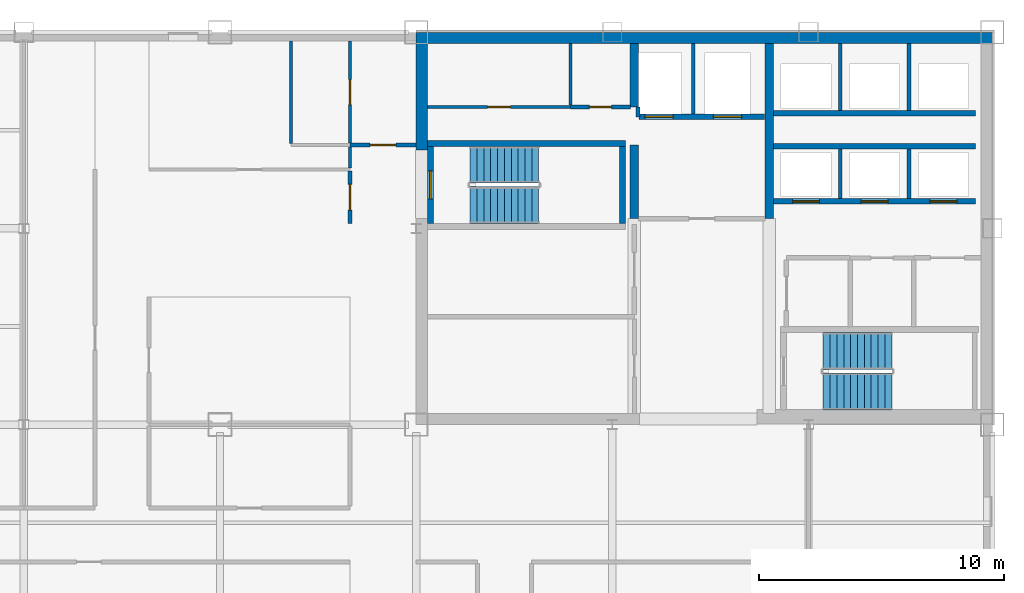
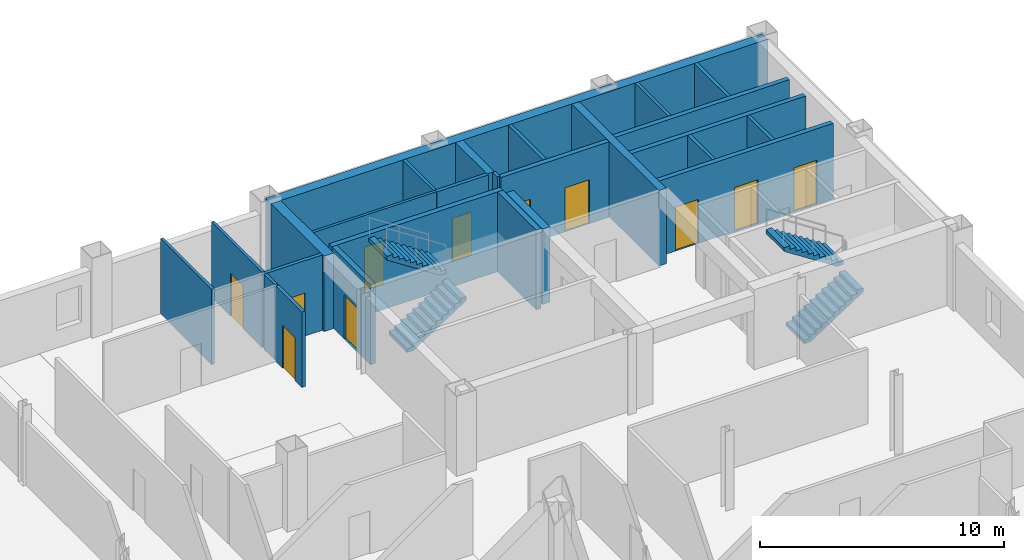
# One storey, part 6 of 10: 26 walls, 11 doors, 4 stair flights, 11 openings, 2 elements without a shape of their own.
"""IFC4 building model written with IfcOpenShell, lengths in metres."""

from ifc_helpers import new_model, si_unit, direction, frame, frame_2d, origin, place, context, subcontext, project, spatial, polyline, rectangle, outline, extrude, material, layer, layer_set, type_object, element, fill, aggregate, save


model = new_model("IFC4")

# Units and contexts
model_context = context("Model", 3, precision=1e-05, world=origin(), true_north=direction((0.0, 1.0)))
body_context = subcontext(model_context, "Body", "Model", "MODEL_VIEW")
ifc_project = project(units=[si_unit("LENGTHUNIT", "METRE"), si_unit("AREAUNIT", "SQUARE_METRE"), si_unit("VOLUMEUNIT", "CUBIC_METRE"), si_unit("PLANEANGLEUNIT", "RADIAN"), si_unit("MASSUNIT", "GRAM", prefix="KILO")], contexts=[model_context])

# Site, building, storey
site_placement = place(None, origin())
site = spatial("IfcSite", under=ifc_project, at=site_placement, CompositionType="ELEMENT")
building_placement = place(site_placement, origin())
building = spatial("IfcBuilding", under=site, at=building_placement, Name="Qianrong Seaharbour Tower", CompositionType="ELEMENT")
storey_placement = place(building_placement, frame((0.0, 0.0, 225.800048828125)))
storey = spatial("IfcBuildingStorey", under=building, at=storey_placement, Name="L54", CompositionType="ELEMENT", Elevation=225.800048828125)

# Walls
ifc_material_1 = material(Name="Concrete C60/75", Category="concrete")
ifc_layer_1 = layer(ifc_material_1, 0.4599609375)
ifc_layer_set_1 = layer_set([ifc_layer_1], Name="Concrete C60/75")
wall_type_1 = type_object("IfcWallType", Name="WALL-CORE-460", PredefinedType="SHEAR", material=ifc_layer_set_1)
wall_1_placement = place(storey_placement, frame((40.5, 51.77001953125, 0.0), z_axis=(0.0, 0.0, 1.0), x_axis=(1.0, 0.0, 0.0)))
element("IfcWall", 1, at=wall_1_placement, inside=storey, type_object=wall_type_1, Name="L54 North Core Shear Wall", PredefinedType="SHEAR", context=body_context, shape_type="SweptSolid", body=[
    extrude(rectangle(XDim=23.5, YDim=0.4599609375, at=frame_2d((11.75, 0.0))), origin(), (0.0, 0.0, 1.0), 3.77490234375),
])
wall_2_placement = place(storey_placement, frame((40.72998046875, 47.199951171875, 0.0), z_axis=(0.0, 0.0, 1.0), x_axis=(0.0, 1.0, 0.0)))
element("IfcWall", 2, at=wall_2_placement, inside=storey, type_object=wall_type_1, Name="L54 West Core Shear Wall North", PredefinedType="SHEAR", context=body_context, shape_type="SweptSolid", body=[
    extrude(rectangle(XDim=4.340087890625, YDim=0.4599609375, at=frame_2d((2.169921875, 0.0))), origin(), (0.0, 0.0, 1.0), 3.77490234375),
])
ifc_material_2 = material(Name="Concrete C50/60", Category="concrete")
ifc_layer_2 = layer(ifc_material_2, 0.35009765625)
ifc_layer_set_2 = layer_set([ifc_layer_2], Name="Concrete C50/60")
wall_type_2 = type_object("IfcWallType", Name="WALL-CORE-INT-350", PredefinedType="SHEAR", material=ifc_layer_set_2)
wall_3_placement = place(storey_placement, frame((49.39990234375, 44.39990234375, 0.0), z_axis=(0.0, 0.0, 1.0), x_axis=(0.0, 1.0, 0.0)))
element("IfcWall", 3, at=wall_3_placement, inside=storey, type_object=wall_type_2, Name="L54 Internal Core Shear Wall IW1N1", PredefinedType="SHEAR", context=body_context, shape_type="SweptSolid", body=[
    extrude(rectangle(XDim=3.0, YDim=0.35009765625, at=frame_2d((1.5, 0.0))), origin(), (0.0, 0.0, 1.0), 3.77490234375),
])
wall_4_placement = place(storey_placement, frame((49.39990234375, 48.949951171875, 0.0), z_axis=(0.0, 0.0, 1.0), x_axis=(0.0, 1.0, 0.0)))
element("IfcWall", 4, at=wall_4_placement, inside=storey, type_object=wall_type_2, Name="L54 Internal Core Shear Wall IW1N2", PredefinedType="SHEAR", context=body_context, shape_type="SweptSolid", body=[
    extrude(rectangle(XDim=2.590087890625, YDim=0.35009765625, at=frame_2d((1.294921875, 0.0))), origin(), (0.0, 0.0, 1.0), 3.77490234375),
])
wall_5_placement = place(storey_placement, frame((54.89990234375, 44.39990234375, 0.0), z_axis=(0.0, 0.0, 1.0), x_axis=(0.0, 1.0, 0.0)))
element("IfcWall", 5, at=wall_5_placement, inside=storey, type_object=wall_type_2, Name="L54 Internal Core Shear Wall IW2N", PredefinedType="SHEAR", context=body_context, shape_type="SweptSolid", body=[
    extrude(rectangle(XDim=7.14013671875, YDim=0.35009765625, at=frame_2d((3.570068359375, 0.0))), origin(), (0.0, 0.0, 1.0), 3.77490234375),
])

# Wall, opening, door
ifc_material_3 = material(Name="Fire-rated acoustic gypsum board partition")
ifc_layer_3 = layer(ifc_material_3, 0.1650390625)
ifc_layer_set_3 = layer_set([ifc_layer_3], Name="Fire-rated acoustic gypsum board partition")
wall_type_3 = type_object("IfcWallType", Name="WALL-CORR-PART-165", PredefinedType="PARTITIONING", material=ifc_layer_set_3)
wall_6_placement = place(storey_placement, frame((37.800048828125, 47.39990234375, 0.0), z_axis=(0.0, 0.0, 1.0), x_axis=(1.0, 0.0, 0.0)))
wall_6 = element("IfcWall", 6, at=wall_6_placement, inside=storey, type_object=wall_type_3, Name="L54 Interior Partition Wall 001", PredefinedType="PARTITIONING", context=body_context, shape_type="SweptSolid", body=[
    extrude(rectangle(XDim=2.699951171875, YDim=0.1650390625, at=frame_2d((1.35009765625, 0.0))), origin(), (0.0, 0.0, 1.0), 3.77490234375),
])
opening_1_placement = place(wall_6_placement, frame((0.824951171875, 0.0, 0.0)))
opening_1 = element("IfcOpeningElement", 7, at=opening_1_placement, cuts=wall_6, Name="Opening DC-01", PredefinedType="OPENING", context=body_context, shape_type="SweptSolid", body=[
    extrude(rectangle(XDim=1.050048828125, YDim=2.14990234375, at=frame_2d((0.52490234375, 1.074951171875))), frame((0.0, 0.092529296875, 0.0), z_axis=(0.0, -1.0, 0.0), x_axis=(1.0, 0.0, 0.0)), (0.0, 0.0, 1.0), 0.18505859375),
])
ifc_material_4 = material(Name="Acoustic timber and galvanized steel fire door assembly", Category="steel")
door_type_1 = type_object("IfcDoorType", Name="DOOR-CORR-FD60-1050x2150", OperationType="NOTDEFINED", PredefinedType="DOOR", material=ifc_material_4)
door_1_placement = place(opening_1_placement, origin())
door_1 = element("IfcDoor", 8, at=door_1_placement, inside=storey, type_object=door_type_1, Name="L54 Smokeproof Stair Vestibule ST-1 Door", OperationType="SINGLE_SWING_RIGHT", OverallHeight=2.14990234375, OverallWidth=1.050048828125, PredefinedType="DOOR", context=body_context, shape_type="SweptSolid", body=[
    extrude(rectangle(XDim=1.050048828125, YDim=2.14990234375, at=frame_2d((0.52490234375, 1.074951171875))), frame((0.0, 0.02490234375, 0.0), z_axis=(0.0, -1.0, 0.0), x_axis=(1.0, 0.0, 0.0)), (0.0, 0.0, 1.0), 0.050048828125),
])
fill(opening_1, door_1)

wall_7_placement = place(storey_placement, frame((37.800048828125, 44.199951171875, 0.0), z_axis=(0.0, 0.0, 1.0), x_axis=(0.0, 1.0, 0.0)))
wall_7 = element("IfcWall", 9, at=wall_7_placement, inside=storey, type_object=wall_type_3, Name="L54 Interior Partition Wall 002", PredefinedType="PARTITIONING", context=body_context, shape_type="SweptSolid", body=[
    extrude(rectangle(XDim=2.14306640625, YDim=0.1650390625, at=frame_2d((1.071533203125, 0.0))), origin(), (0.0, 0.0, 1.0), 3.77490234375),
])
opening_2_placement = place(wall_7_placement, frame((0.54638671875, 0.0, 0.0)))
opening_2 = element("IfcOpeningElement", 10, at=opening_2_placement, cuts=wall_7, Name="Opening DC-01", PredefinedType="OPENING", context=body_context, shape_type="SweptSolid", body=[
    extrude(rectangle(XDim=1.050048828125, YDim=2.14990234375, at=frame_2d((0.52490234375, 1.074951171875))), frame((0.0, 0.092529296875, 0.0), z_axis=(0.0, -1.0, 0.0), x_axis=(1.0, 0.0, 0.0)), (0.0, 0.0, 1.0), 0.18505859375),
])
door_2_placement = place(opening_2_placement, origin())
door_2 = element("IfcDoor", 11, at=door_2_placement, inside=storey, type_object=door_type_1, Name="L54 Smokeproof Stair Vestibule ST-1 Door", OperationType="SINGLE_SWING_LEFT", OverallHeight=2.14990234375, OverallWidth=1.050048828125, PredefinedType="DOOR", context=body_context, shape_type="SweptSolid", body=[
    extrude(rectangle(XDim=1.050048828125, YDim=2.14990234375, at=frame_2d((0.52490234375, 1.074951171875))), frame((0.0, 0.02490234375, 0.0), z_axis=(0.0, -1.0, 0.0), x_axis=(1.0, 0.0, 0.0)), (0.0, 0.0, 1.0), 0.050048828125),
])
fill(opening_2, door_2)

wall_8_placement = place(storey_placement, frame((46.800048828125, 48.949951171875, 0.0), z_axis=(0.0, 0.0, 1.0), x_axis=(1.0, 0.0, 0.0)))
wall_8 = element("IfcWall", 12, at=wall_8_placement, inside=storey, type_object=wall_type_3, Name="L54 Interior Partition Wall 008", PredefinedType="PARTITIONING", context=body_context, shape_type="SweptSolid", body=[
    extrude(rectangle(XDim=2.432861328125, YDim=0.1650390625, at=frame_2d((1.21630859375, 0.0))), origin(), (0.0, 0.0, 1.0), 3.77490234375),
])
opening_3_placement = place(wall_8_placement, frame((0.7666015625, 0.0, 0.0)))
opening_3 = element("IfcOpeningElement", 13, at=opening_3_placement, cuts=wall_8, Name="Opening DS-01", PredefinedType="OPENING", context=body_context, shape_type="SweptSolid", body=[
    extrude(rectangle(XDim=0.89990234375, YDim=2.14990234375, at=frame_2d((0.449951171875, 1.074951171875))), frame((0.0, 0.092529296875, 0.0), z_axis=(0.0, -1.0, 0.0), x_axis=(1.0, 0.0, 0.0)), (0.0, 0.0, 1.0), 0.18505859375),
])
door_type_2 = type_object("IfcDoorType", Name="DOOR-STORE-900x2150", OperationType="NOTDEFINED", PredefinedType="DOOR", material=ifc_material_4)
door_3_placement = place(opening_3_placement, origin())
door_3 = element("IfcDoor", 14, at=door_3_placement, inside=storey, type_object=door_type_2, Name="L54 Janitor Store Room Door", OperationType="SINGLE_SWING_RIGHT", OverallHeight=2.14990234375, OverallWidth=0.89990234375, PredefinedType="DOOR", context=body_context, shape_type="SweptSolid", body=[
    extrude(rectangle(XDim=0.89990234375, YDim=2.14990234375, at=frame_2d((0.449951171875, 1.074951171875))), frame((0.0, 0.02490234375, 0.0), z_axis=(0.0, -1.0, 0.0), x_axis=(1.0, 0.0, 0.0)), (0.0, 0.0, 1.0), 0.050048828125),
])
fill(opening_3, door_3)

# Walls
ifc_material_5 = material(Name="Fire-rated gypsum board on steel studs", Category="steel")
ifc_layer_4 = layer(ifc_material_5, 0.14990234375)
ifc_layer_set_4 = layer_set([ifc_layer_4], Name="Fire-rated gypsum board on steel studs")
wall_type_4 = type_object("IfcWallType", Name="WALL-SHAFT-DIV-150", PredefinedType="PARTITIONING", material=ifc_layer_set_4)
wall_9_placement = place(storey_placement, frame((51.800048828125, 48.669921875, 0.0), z_axis=(0.0, 0.0, 1.0), x_axis=(0.0, 1.0, 0.0)))
element("IfcWall", 15, at=wall_9_placement, inside=storey, type_object=wall_type_4, Name="L54 Firefighting Lift Shaft Divider Wall", PredefinedType="PARTITIONING", context=body_context, shape_type="SweptSolid", body=[
    extrude(rectangle(XDim=2.8701171875, YDim=0.14990234375, at=frame_2d((1.43505859375, 0.0))), origin(), (0.0, 0.0, 1.0), 3.77490234375),
])
wall_10_placement = place(storey_placement, frame((49.550048828125, 48.550048828125, 0.0), z_axis=(0.0, 0.0, 1.0), x_axis=(0.0, 1.0, 0.0)))
element("IfcWall", 16, at=wall_10_placement, inside=storey, type_object=wall_type_4, Name="L54 Firefighting Lift Shaft West Return Wall", PredefinedType="PARTITIONING", context=body_context, shape_type="SweptSolid", body=[
    extrude(rectangle(XDim=0.39990234375, YDim=0.14990234375, at=frame_2d((0.199951171875, 0.0))), origin(), (0.0, 0.0, 1.0), 3.77490234375),
])
for number, where, z_axis, x_axis, name in (
    (17, (57.800048828125, 45.2099609375, 0.0), (0.0, 0.0, 1.0), (0.0, 1.0, 0.0), "L54 P3 Lift Hoistway Divider 2"),
    (18, (60.60009765625, 45.2099609375, 0.0), (0.0, 0.0, 1.0), (0.0, 1.0, 0.0), "L54 P3 Lift Hoistway Divider 3"),
):
    element("IfcWall", number, at=place(storey_placement, frame(where, z_axis=z_axis, x_axis=x_axis)), inside=storey, type_object=wall_type_4, Name=name, PredefinedType="PARTITIONING", context=body_context, shape_type="SweptSolid", body=[
        extrude(rectangle(XDim=2.030029296875, YDim=0.14990234375, at=frame_2d((1.01513671875, 0.0))), origin(), (0.0, 0.0, 1.0), 3.77490234375),
    ])
for number, where, z_axis, x_axis, name in (
    (19, (57.800048828125, 48.81005859375, 0.0), (0.0, 0.0, 1.0), (0.0, 1.0, 0.0), "L54 P4 Lift Hoistway Divider 2"),
    (20, (60.60009765625, 48.81005859375, 0.0), (0.0, 0.0, 1.0), (0.0, 1.0, 0.0), "L54 P4 Lift Hoistway Divider 3"),
):
    element("IfcWall", number, at=place(storey_placement, frame(where, z_axis=z_axis, x_axis=x_axis)), inside=storey, type_object=wall_type_4, Name=name, PredefinedType="PARTITIONING", context=body_context, shape_type="SweptSolid", body=[
        extrude(rectangle(XDim=2.72998046875, YDim=0.14990234375, at=frame_2d((1.364990234375, 0.0))), origin(), (0.0, 0.0, 1.0), 3.77490234375),
    ])

# Wall, openings, doors
ifc_layer_5 = layer(ifc_material_5, 0.219970703125)
ifc_layer_set_5 = layer_set([ifc_layer_5], Name="Fire-rated gypsum board on steel studs")
wall_type_5 = type_object("IfcWallType", Name="WALL-SHAFT-GYP220", PredefinedType="PARTITIONING", material=ifc_layer_set_5)
wall_11_placement = place(storey_placement, frame((54.7099609375, 48.550048828125, 0.0), z_axis=(0.0, 0.0, 1.0), x_axis=(-1.0, 0.0, 0.0)))
wall_11 = element("IfcWall", 21, at=wall_11_placement, inside=storey, type_object=wall_type_5, Name="L54 Firefighting Lift Shaft Front Wall", PredefinedType="PARTITIONING", context=body_context, shape_type="SweptSolid", body=[
    extrude(rectangle(XDim=5.119873046875, YDim=0.219970703125, at=frame_2d((2.56005859375, 0.0))), origin(), (0.0, 0.0, 1.0), 3.77490234375),
])
opening_4_placement = place(wall_11_placement, frame((3.735107421875, 0.0, 0.0)))
opening_4 = element("IfcOpeningElement", 22, at=opening_4_placement, cuts=wall_11, Name="Opening LD-01", PredefinedType="OPENING", context=body_context, shape_type="SweptSolid", body=[
    extrude(rectangle(XDim=1.14990234375, YDim=2.199951171875, at=frame_2d((0.574951171875, 1.10009765625))), frame((0.0, 0.1201171875, 0.0), z_axis=(0.0, -1.0, 0.0), x_axis=(1.0, 0.0, 0.0)), (0.0, 0.0, 1.0), 0.239990234375),
])
opening_5_placement = place(wall_11_placement, frame((0.93505859375, 0.0, 0.0)))
opening_5 = element("IfcOpeningElement", 23, at=opening_5_placement, cuts=wall_11, Name="Opening LD-01", PredefinedType="OPENING", context=body_context, shape_type="SweptSolid", body=[
    extrude(rectangle(XDim=1.14990234375, YDim=2.199951171875, at=frame_2d((0.574951171875, 1.10009765625))), frame((0.0, 0.1201171875, 0.0), z_axis=(0.0, -1.0, 0.0), x_axis=(1.0, 0.0, 0.0)), (0.0, 0.0, 1.0), 0.239990234375),
])
ifc_material_6 = material(Name="Stainless steel SUS316L bi-parting lift landing door", Category="steel")
door_type_3 = type_object("IfcDoorType", Name="DOOR-LIFT-FF-1150x2200", OperationType="DOUBLE_DOOR_SLIDING", PredefinedType="DOOR", material=ifc_material_6)
door_4_placement = place(opening_4_placement, origin())
door_4 = element("IfcDoor", 24, at=door_4_placement, inside=storey, type_object=door_type_3, Name="L54 FL-1 Firefighting Lift Landing Door", OperationType="DOUBLE_DOOR_SLIDING", OverallHeight=2.199951171875, OverallWidth=1.14990234375, PredefinedType="DOOR", context=body_context, shape_type="SweptSolid", body=[
    extrude(rectangle(XDim=1.14990234375, YDim=2.199951171875, at=frame_2d((0.574951171875, 1.10009765625))), frame((0.0, 0.02490234375, 0.0), z_axis=(0.0, -1.0, 0.0), x_axis=(1.0, 0.0, 0.0)), (0.0, 0.0, 1.0), 0.050048828125),
])
fill(opening_4, door_4)
door_5_placement = place(opening_5_placement, origin())
door_5 = element("IfcDoor", 25, at=door_5_placement, inside=storey, type_object=door_type_3, Name="L54 FL-2 Firefighting Lift Landing Door", OperationType="DOUBLE_DOOR_SLIDING", OverallHeight=2.199951171875, OverallWidth=1.14990234375, PredefinedType="DOOR", context=body_context, shape_type="SweptSolid", body=[
    extrude(rectangle(XDim=1.14990234375, YDim=2.199951171875, at=frame_2d((0.574951171875, 1.10009765625))), frame((0.0, 0.02490234375, 0.0), z_axis=(0.0, -1.0, 0.0), x_axis=(1.0, 0.0, 0.0)), (0.0, 0.0, 1.0), 0.050048828125),
])
fill(opening_5, door_5)

wall_12_placement = place(storey_placement, frame((63.320068359375, 45.10009765625, 0.0), z_axis=(0.0, 0.0, 1.0), x_axis=(-1.0, 0.0, 0.0)))
wall_12 = element("IfcWall", 26, at=wall_12_placement, inside=storey, type_object=wall_type_5, Name="L54 P3 Lift Hoistway Front Wall", PredefinedType="PARTITIONING", context=body_context, shape_type="SweptSolid", body=[
    extrude(rectangle(XDim=8.239990234375, YDim=0.219970703125, at=frame_2d((4.1201171875, 0.0))), origin(), (0.0, 0.0, 1.0), 3.77490234375),
])
opening_6_placement = place(wall_12_placement, frame((6.3701171875, 0.0, 0.0)))
opening_6 = element("IfcOpeningElement", 27, at=opening_6_placement, cuts=wall_12, Name="Opening LD-02", PredefinedType="OPENING", context=body_context, shape_type="SweptSolid", body=[
    extrude(rectangle(XDim=1.10009765625, YDim=2.199951171875, at=frame_2d((0.550048828125, 1.10009765625))), frame((0.0, 0.1201171875, 0.0), z_axis=(0.0, -1.0, 0.0), x_axis=(1.0, 0.0, 0.0)), (0.0, 0.0, 1.0), 0.239990234375),
])
opening_7_placement = place(wall_12_placement, frame((3.570068359375, 0.0, 0.0)))
opening_7 = element("IfcOpeningElement", 28, at=opening_7_placement, cuts=wall_12, Name="Opening LD-02", PredefinedType="OPENING", context=body_context, shape_type="SweptSolid", body=[
    extrude(rectangle(XDim=1.10009765625, YDim=2.199951171875, at=frame_2d((0.550048828125, 1.10009765625))), frame((0.0, 0.1201171875, 0.0), z_axis=(0.0, -1.0, 0.0), x_axis=(1.0, 0.0, 0.0)), (0.0, 0.0, 1.0), 0.239990234375),
])
opening_8_placement = place(wall_12_placement, frame((0.77001953125, 0.0, 0.0)))
opening_8 = element("IfcOpeningElement", 29, at=opening_8_placement, cuts=wall_12, Name="Opening LD-02", PredefinedType="OPENING", context=body_context, shape_type="SweptSolid", body=[
    extrude(rectangle(XDim=1.10009765625, YDim=2.199951171875, at=frame_2d((0.550048828125, 1.10009765625))), frame((0.0, 0.1201171875, 0.0), z_axis=(0.0, -1.0, 0.0), x_axis=(1.0, 0.0, 0.0)), (0.0, 0.0, 1.0), 0.239990234375),
])
door_type_4 = type_object("IfcDoorType", Name="DOOR-LIFT-PASS-1100x2200", OperationType="DOUBLE_DOOR_SLIDING", PredefinedType="DOOR", material=ifc_material_6)
door_6_placement = place(opening_6_placement, origin())
door_6 = element("IfcDoor", 30, at=door_6_placement, inside=storey, type_object=door_type_4, Name="L54 PL-3A Lift Landing Door", OperationType="DOUBLE_DOOR_SLIDING", OverallHeight=2.199951171875, OverallWidth=1.10009765625, PredefinedType="DOOR", context=body_context, shape_type="SweptSolid", body=[
    extrude(rectangle(XDim=1.10009765625, YDim=2.199951171875, at=frame_2d((0.550048828125, 1.10009765625))), frame((0.0, 0.02490234375, 0.0), z_axis=(0.0, -1.0, 0.0), x_axis=(1.0, 0.0, 0.0)), (0.0, 0.0, 1.0), 0.050048828125),
])
fill(opening_6, door_6)
door_7_placement = place(opening_7_placement, origin())
door_7 = element("IfcDoor", 31, at=door_7_placement, inside=storey, type_object=door_type_4, Name="L54 PL-3B Lift Landing Door", OperationType="DOUBLE_DOOR_SLIDING", OverallHeight=2.199951171875, OverallWidth=1.10009765625, PredefinedType="DOOR", context=body_context, shape_type="SweptSolid", body=[
    extrude(rectangle(XDim=1.10009765625, YDim=2.199951171875, at=frame_2d((0.550048828125, 1.10009765625))), frame((0.0, 0.02490234375, 0.0), z_axis=(0.0, -1.0, 0.0), x_axis=(1.0, 0.0, 0.0)), (0.0, 0.0, 1.0), 0.050048828125),
])
fill(opening_7, door_7)
door_8_placement = place(opening_8_placement, origin())
door_8 = element("IfcDoor", 32, at=door_8_placement, inside=storey, type_object=door_type_4, Name="L54 PL-3C Lift Landing Door", OperationType="DOUBLE_DOOR_SLIDING", OverallHeight=2.199951171875, OverallWidth=1.10009765625, PredefinedType="DOOR", context=body_context, shape_type="SweptSolid", body=[
    extrude(rectangle(XDim=1.10009765625, YDim=2.199951171875, at=frame_2d((0.550048828125, 1.10009765625))), frame((0.0, 0.02490234375, 0.0), z_axis=(0.0, -1.0, 0.0), x_axis=(1.0, 0.0, 0.0)), (0.0, 0.0, 1.0), 0.050048828125),
])
fill(opening_8, door_8)

# Walls
for number, where, z_axis, x_axis, name in (
    (33, (55.080078125, 47.35009765625, 0.0), (0.0, 0.0, 1.0), (1.0, 0.0, 0.0), "L54 P3 Lift Hoistway Back Wall"),
    (34, (63.320068359375, 48.699951171875, 0.0), (0.0, 0.0, 1.0), (-1.0, 0.0, 0.0), "L54 P4 Lift Hoistway Front Wall"),
):
    element("IfcWall", number, at=place(storey_placement, frame(where, z_axis=z_axis, x_axis=x_axis)), inside=storey, type_object=wall_type_5, Name=name, PredefinedType="PARTITIONING", context=body_context, shape_type="SweptSolid", body=[
        extrude(rectangle(XDim=8.239990234375, YDim=0.219970703125, at=frame_2d((4.1201171875, 0.0))), origin(), (0.0, 0.0, 1.0), 3.77490234375),
    ])
ifc_layer_6 = layer(ifc_material_2, 0.239990234375)
ifc_layer_set_6 = layer_set([ifc_layer_6], Name="Concrete C50/60")
wall_type_6 = type_object("IfcWallType", Name="WALL-SHAFT-RC240", PredefinedType="SOLIDWALL", material=ifc_layer_set_6)
wall_13_placement = place(storey_placement, frame((40.9599609375, 47.469970703125, 0.0), z_axis=(0.0, 0.0, 1.0), x_axis=(1.0, 0.0, 0.0)))
element("IfcWall", 35, at=wall_13_placement, inside=storey, type_object=wall_type_6, Name="L54 ST-1 Structural Stair Core Wall N", PredefinedType="SOLIDWALL", context=body_context, shape_type="SweptSolid", body=[
    extrude(rectangle(XDim=8.080078125, YDim=0.239990234375, at=frame_2d((4.0400390625, 0.0))), origin(), (0.0, 0.0, 1.0), 4.0),
])

# Wall, opening, door
wall_14_placement = place(storey_placement, frame((41.080078125, 47.35009765625, 0.0), z_axis=(0.0, 0.0, 1.0), x_axis=(0.0, -1.0, 0.0)))
wall_14 = element("IfcWall", 36, at=wall_14_placement, inside=storey, type_object=wall_type_6, Name="L54 ST-1 Structural Stair Core Wall W", PredefinedType="SOLIDWALL", context=body_context, shape_type="SweptSolid", body=[
    extrude(rectangle(XDim=3.150146484375, YDim=0.239990234375, at=frame_2d((1.5751953125, 0.0))), origin(), (0.0, 0.0, 1.0), 4.0),
])
opening_9_placement = place(wall_14_placement, frame((1.0, 0.0, 0.0)))
opening_9 = element("IfcOpeningElement", 37, at=opening_9_placement, cuts=wall_14, Name="Opening SD-01", PredefinedType="OPENING", context=body_context, shape_type="SweptSolid", body=[
    extrude(rectangle(XDim=1.14990234375, YDim=2.199951171875, at=frame_2d((0.574951171875, 1.10009765625))), frame((0.0, 0.1298828125, 0.0), z_axis=(0.0, -1.0, 0.0), x_axis=(1.0, 0.0, 0.0)), (0.0, 0.0, 1.0), 0.260009765625),
])
door_type_5 = type_object("IfcDoorType", Name="DOOR-STAIR-FD60-1150x2200", OperationType="NOTDEFINED", PredefinedType="DOOR", material=ifc_material_4)
door_9_placement = place(opening_9_placement, origin())
door_9 = element("IfcDoor", 38, at=door_9_placement, inside=storey, type_object=door_type_5, Name="L54 ST-1 Protected Stair Door", OperationType="SINGLE_SWING_LEFT", OverallHeight=2.199951171875, OverallWidth=1.14990234375, PredefinedType="DOOR", context=body_context, shape_type="SweptSolid", body=[
    extrude(rectangle(XDim=1.14990234375, YDim=2.199951171875, at=frame_2d((0.574951171875, 1.10009765625))), frame((0.0, 0.02490234375, 0.0), z_axis=(0.0, -1.0, 0.0), x_axis=(1.0, 0.0, 0.0)), (0.0, 0.0, 1.0), 0.050048828125),
])
fill(opening_9, door_9)

# Walls
wall_15_placement = place(storey_placement, frame((48.919921875, 44.199951171875, 0.0), z_axis=(0.0, 0.0, 1.0), x_axis=(0.0, 1.0, 0.0)))
element("IfcWall", 39, at=wall_15_placement, inside=storey, type_object=wall_type_6, Name="L54 ST-1 Structural Stair Core Wall E", PredefinedType="SOLIDWALL", context=body_context, shape_type="SweptSolid", body=[
    extrude(rectangle(XDim=3.150146484375, YDim=0.239990234375, at=frame_2d((1.5751953125, 0.0))), origin(), (0.0, 0.0, 1.0), 4.0),
])
ifc_material_7 = material(Name="Water-resistant cement board sanitary partition")
ifc_layer_7 = layer(ifc_material_7, 0.1298828125)
ifc_layer_set_7 = layer_set([ifc_layer_7], Name="Water-resistant cement board sanitary partition")
wall_type_7 = type_object("IfcWallType", Name="WALL-WET-PART-130", PredefinedType="PARTITIONING", material=ifc_layer_set_7)
wall_16_placement = place(storey_placement, frame((37.800048828125, 46.45703125, 0.0), z_axis=(0.0, 0.0, 1.0), x_axis=(0.0, 1.0, 0.0)))
element("IfcWall", 40, at=wall_16_placement, inside=storey, type_object=wall_type_7, Name="L54 Interior Partition Wall 003", PredefinedType="PARTITIONING", context=body_context, shape_type="SweptSolid", body=[
    extrude(rectangle(XDim=0.868408203125, YDim=0.1298828125, at=frame_2d((0.43408203125, 0.0))), origin(), (0.0, 0.0, 1.0), 3.77490234375),
])

# Wall, opening, door
wall_17_placement = place(storey_placement, frame((37.800048828125, 47.474609375, 0.0), z_axis=(0.0, 0.0, 1.0), x_axis=(0.0, 1.0, 0.0)))
wall_17 = element("IfcWall", 41, at=wall_17_placement, inside=storey, type_object=wall_type_7, Name="L54 Interior Partition Wall 004", PredefinedType="PARTITIONING", context=body_context, shape_type="SweptSolid", body=[
    extrude(rectangle(XDim=4.17333984375, YDim=0.1298828125, at=frame_2d((2.086669921875, 0.0))), origin(), (0.0, 0.0, 1.0), 3.77490234375),
])
opening_10_placement = place(wall_17_placement, frame((1.57666015625, 0.0, 0.0)))
opening_10 = element("IfcOpeningElement", 42, at=opening_10_placement, cuts=wall_17, Name="Opening DAW-01", PredefinedType="OPENING", context=body_context, shape_type="SweptSolid", body=[
    extrude(rectangle(XDim=1.02001953125, YDim=2.14990234375, at=frame_2d((0.510009765625, 1.074951171875))), frame((0.0, 0.074951171875, 0.0), z_axis=(0.0, -1.0, 0.0), x_axis=(1.0, 0.0, 0.0)), (0.0, 0.0, 1.0), 0.14990234375),
])
door_type_6 = type_object("IfcDoorType", Name="DOOR-AWC-SLIDE-1020x2150", OperationType="SLIDING_TO_LEFT", PredefinedType="DOOR", material=ifc_material_4)
door_10_placement = place(opening_10_placement, origin())
door_10 = element("IfcDoor", 43, at=door_10_placement, inside=storey, type_object=door_type_6, Name="L54 Accessible Restroom WC Door", OperationType="SLIDING_TO_LEFT", OverallHeight=2.14990234375, OverallWidth=1.02001953125, PredefinedType="DOOR", context=body_context, shape_type="SweptSolid", body=[
    extrude(rectangle(XDim=1.02001953125, YDim=2.14990234375, at=frame_2d((0.510009765625, 1.074951171875))), frame((0.0, 0.02490234375, 0.0), z_axis=(0.0, -1.0, 0.0), x_axis=(1.0, 0.0, 0.0)), (0.0, 0.0, 1.0), 0.050048828125),
])
fill(opening_10, door_10)

# Wall
wall_18_placement = place(storey_placement, frame((35.39990234375, 47.45703125, 0.0), z_axis=(0.0, 0.0, 1.0), x_axis=(0.0, 1.0, 0.0)))
element("IfcWall", 44, at=wall_18_placement, inside=storey, type_object=wall_type_7, Name="L54 Interior Partition Wall 006", PredefinedType="PARTITIONING", context=body_context, shape_type="SweptSolid", body=[
    extrude(rectangle(XDim=4.19091796875, YDim=0.1298828125, at=frame_2d((2.095458984375, 0.0))), origin(), (0.0, 0.0, 1.0), 3.77490234375),
])

# Wall, opening, door
wall_19_placement = place(storey_placement, frame((40.9599609375, 48.949951171875, 0.0), z_axis=(0.0, 0.0, 1.0), x_axis=(1.0, 0.0, 0.0)))
wall_19 = element("IfcWall", 45, at=wall_19_placement, inside=storey, type_object=wall_type_7, Name="L54 Interior Partition Wall 007", PredefinedType="PARTITIONING", context=body_context, shape_type="SweptSolid", body=[
    extrude(rectangle(XDim=5.840087890625, YDim=0.1298828125, at=frame_2d((2.919921875, 0.0))), origin(), (0.0, 0.0, 1.0), 3.77490234375),
])
opening_11_placement = place(wall_19_placement, frame((2.4599609375, 0.0, 0.0)))
opening_11 = element("IfcOpeningElement", 46, at=opening_11_placement, cuts=wall_19, Name="Opening DW-01", PredefinedType="OPENING", context=body_context, shape_type="SweptSolid", body=[
    extrude(rectangle(XDim=0.919921875, YDim=2.14990234375, at=frame_2d((0.4599609375, 1.074951171875))), frame((0.0, 0.074951171875, 0.0), z_axis=(0.0, -1.0, 0.0), x_axis=(1.0, 0.0, 0.0)), (0.0, 0.0, 1.0), 0.14990234375),
])
door_type_7 = type_object("IfcDoorType", Name="DOOR-WC-920x2150", OperationType="NOTDEFINED", PredefinedType="DOOR", material=ifc_material_4)
door_11_placement = place(opening_11_placement, origin())
door_11 = element("IfcDoor", 47, at=door_11_placement, inside=storey, type_object=door_type_7, Name="L54 Restroom WC Suite Door", OperationType="SINGLE_SWING_LEFT", OverallHeight=2.14990234375, OverallWidth=0.919921875, PredefinedType="DOOR", context=body_context, shape_type="SweptSolid", body=[
    extrude(rectangle(XDim=0.919921875, YDim=2.14990234375, at=frame_2d((0.4599609375, 1.074951171875))), frame((0.0, 0.02490234375, 0.0), z_axis=(0.0, -1.0, 0.0), x_axis=(1.0, 0.0, 0.0)), (0.0, 0.0, 1.0), 0.050048828125),
])
fill(opening_11, door_11)

# Wall
wall_20_placement = place(storey_placement, frame((46.800048828125, 51.5400390625, 0.0), z_axis=(0.0, 0.0, 1.0), x_axis=(0.0, -1.0, 0.0)))
element("IfcWall", 48, at=wall_20_placement, inside=storey, type_object=wall_type_7, Name="L54 Interior Partition Wall 017", PredefinedType="PARTITIONING", context=body_context, shape_type="SweptSolid", body=[
    extrude(rectangle(XDim=2.515625, YDim=0.1298828125, at=frame_2d((1.2578125, 0.0))), origin(), (0.0, 0.0, 1.0), 3.77490234375),
])

# Stair, stair flights
stair_type = type_object("IfcStairType", Name="STAIR-DOGLEG-1500-R22", PredefinedType="HALF_TURN_STAIR", material=ifc_material_2)
stair_1_placement = place(storey_placement, origin())
stair_1 = element("IfcStair", 49, at=stair_1_placement, inside=storey, type_object=stair_type, Name="L54 Protected Escape Stair ST-1", PredefinedType="HALF_TURN_STAIR")
stair_flight_type = type_object("IfcStairFlightType", Name="FLIGHT-STR-1500-R22", PredefinedType="STRAIGHT", material=ifc_material_2)
stair_flight_1_placement = place(storey_placement, frame((42.699951171875, 44.949951171875, 0.0), z_axis=(0.0, 0.0, 1.0), x_axis=(1.0, 0.0, 0.0)))
stair_flight_1 = element("IfcStairFlight", 50, at=stair_flight_1_placement, type_object=stair_flight_type, Name="ST-1 flight 1", NumberOfRisers=11, NumberOfTreads=10, PredefinedType="STRAIGHT", RiserHeight=0.181818182, TreadLength=0.28, context=body_context, shape_type="SweptSolid", body=[
    extrude(outline(polyline([(0.0, 0.0), (0.0, 0.181884765625), (0.280029296875, 0.181884765625), (0.280029296875, 0.363525390625), (0.56005859375, 0.363525390625), (0.56005859375, 0.54541015625), (0.840087890625, 0.54541015625), (0.840087890625, 0.727294921875), (1.1201171875, 0.727294921875), (1.1201171875, 0.9091796875), (1.39990234375, 0.9091796875), (1.39990234375, 1.0908203125), (1.679931640625, 1.0908203125), (1.679931640625, 1.272705078125), (1.9599609375, 1.272705078125), (1.9599609375, 1.45458984375), (2.239990234375, 1.45458984375), (2.239990234375, 1.636474609375), (2.52001953125, 1.636474609375), (2.52001953125, 1.818115234375), (2.800048828125, 1.818115234375), (2.800048828125, 2.0), (2.800048828125, 1.62744140625), (0.293701171875, 0.0), (0.0, 0.0)])), frame((0.0, 0.75, 0.0), z_axis=(0.0, -1.0, 0.0), x_axis=(1.0, 0.0, 0.0)), (0.0, 0.0, 1.0), 1.5),
])
stair_flight_2_placement = place(storey_placement, frame((45.5, 46.60009765625, 2.0), z_axis=(0.0, 0.0, 1.0), x_axis=(-1.0, 0.0, 0.0)))
stair_flight_2 = element("IfcStairFlight", 51, at=stair_flight_2_placement, type_object=stair_flight_type, Name="ST-1 flight 2", NumberOfRisers=11, NumberOfTreads=10, PredefinedType="STRAIGHT", RiserHeight=0.181818182, TreadLength=0.28, context=body_context, shape_type="SweptSolid", body=[
    extrude(outline(polyline([(0.0, 0.0), (0.0, 0.181884765625), (0.280029296875, 0.181884765625), (0.280029296875, 0.363525390625), (0.56005859375, 0.363525390625), (0.56005859375, 0.54541015625), (0.840087890625, 0.54541015625), (0.840087890625, 0.727294921875), (1.1201171875, 0.727294921875), (1.1201171875, 0.9091796875), (1.39990234375, 0.9091796875), (1.39990234375, 1.0908203125), (1.679931640625, 1.0908203125), (1.679931640625, 1.272705078125), (1.9599609375, 1.272705078125), (1.9599609375, 1.45458984375), (2.239990234375, 1.45458984375), (2.239990234375, 1.636474609375), (2.52001953125, 1.636474609375), (2.52001953125, 1.818115234375), (2.800048828125, 1.818115234375), (2.800048828125, 2.0), (2.800048828125, 1.62744140625), (0.293701171875, 0.0), (0.0, 0.0)])), frame((0.0, 0.75, 0.0), z_axis=(0.0, -1.0, 0.0), x_axis=(1.0, 0.0, 0.0)), (0.0, 0.0, 1.0), 1.5),
])
aggregate(stair_1, [stair_flight_1, stair_flight_2])

stair_2_placement = place(storey_placement, origin())
stair_2 = element("IfcStair", 52, at=stair_2_placement, inside=storey, type_object=stair_type, Name="L54 Protected Escape Stair ST-2", PredefinedType="HALF_TURN_STAIR")
stair_flight_3_placement = place(storey_placement, frame((57.10009765625, 37.35009765625, 0.0), z_axis=(0.0, 0.0, 1.0), x_axis=(1.0, 0.0, 0.0)))
stair_flight_3 = element("IfcStairFlight", 53, at=stair_flight_3_placement, type_object=stair_flight_type, Name="ST-2 flight 1", NumberOfRisers=11, NumberOfTreads=10, PredefinedType="STRAIGHT", RiserHeight=0.181818182, TreadLength=0.28, context=body_context, shape_type="SweptSolid", body=[
    extrude(outline(polyline([(0.0, 0.0), (0.0, 0.181884765625), (0.280029296875, 0.181884765625), (0.280029296875, 0.363525390625), (0.56005859375, 0.363525390625), (0.56005859375, 0.54541015625), (0.840087890625, 0.54541015625), (0.840087890625, 0.727294921875), (1.1201171875, 0.727294921875), (1.1201171875, 0.9091796875), (1.39990234375, 0.9091796875), (1.39990234375, 1.0908203125), (1.679931640625, 1.0908203125), (1.679931640625, 1.272705078125), (1.9599609375, 1.272705078125), (1.9599609375, 1.45458984375), (2.239990234375, 1.45458984375), (2.239990234375, 1.636474609375), (2.52001953125, 1.636474609375), (2.52001953125, 1.818115234375), (2.800048828125, 1.818115234375), (2.800048828125, 2.0), (2.800048828125, 1.62744140625), (0.293701171875, 0.0), (0.0, 0.0)])), frame((0.0, 0.75, 0.0), z_axis=(0.0, -1.0, 0.0), x_axis=(1.0, 0.0, 0.0)), (0.0, 0.0, 1.0), 1.5),
])
stair_flight_4_placement = place(storey_placement, frame((59.89990234375, 39.0, 2.0), z_axis=(0.0, 0.0, 1.0), x_axis=(-1.0, 0.0, 0.0)))
stair_flight_4 = element("IfcStairFlight", 54, at=stair_flight_4_placement, type_object=stair_flight_type, Name="ST-2 flight 2", NumberOfRisers=11, NumberOfTreads=10, PredefinedType="STRAIGHT", RiserHeight=0.181818182, TreadLength=0.28, context=body_context, shape_type="SweptSolid", body=[
    extrude(outline(polyline([(0.0, 0.0), (0.0, 0.181884765625), (0.280029296875, 0.181884765625), (0.280029296875, 0.363525390625), (0.56005859375, 0.363525390625), (0.56005859375, 0.54541015625), (0.840087890625, 0.54541015625), (0.840087890625, 0.727294921875), (1.1201171875, 0.727294921875), (1.1201171875, 0.9091796875), (1.39990234375, 0.9091796875), (1.39990234375, 1.0908203125), (1.679931640625, 1.0908203125), (1.679931640625, 1.272705078125), (1.9599609375, 1.272705078125), (1.9599609375, 1.45458984375), (2.239990234375, 1.45458984375), (2.239990234375, 1.636474609375), (2.52001953125, 1.636474609375), (2.52001953125, 1.818115234375), (2.800048828125, 1.818115234375), (2.800048828125, 2.0), (2.800048828125, 1.62744140625), (0.293701171875, 0.0), (0.0, 0.0)])), frame((0.0, 0.75, 0.0), z_axis=(0.0, -1.0, 0.0), x_axis=(1.0, 0.0, 0.0)), (0.0, 0.0, 1.0), 1.5),
])
aggregate(stair_2, [stair_flight_3, stair_flight_4])

save(model, "model.ifc")
